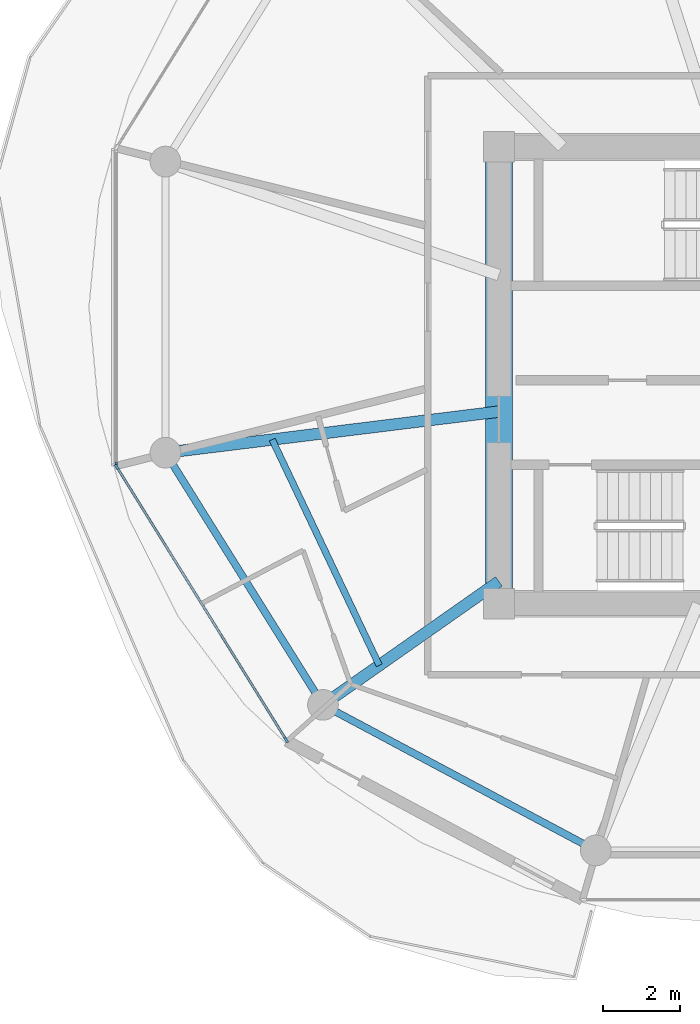
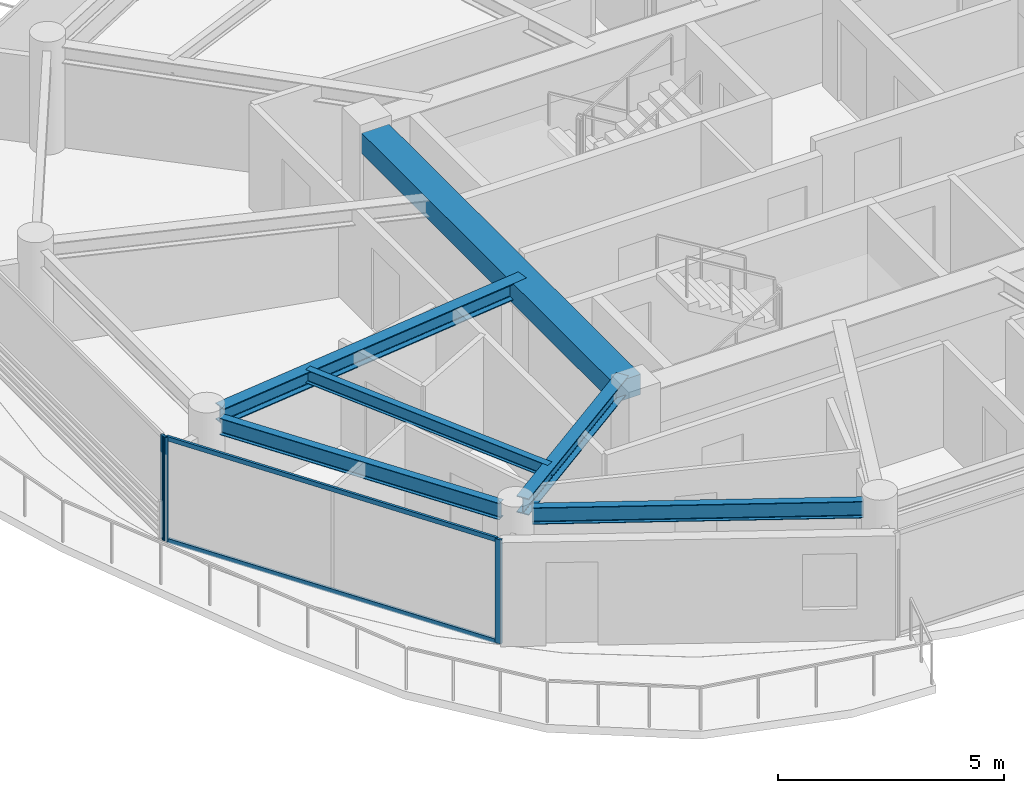
# One storey, part 6 of 21: 6 beams, 5 members, 2 elements without a shape of their own.
"""IFC4 building model written with IfcOpenShell, lengths in metres."""

from ifc_helpers import new_model, si_unit, direction, frame, origin, origin_2d, place, context, subcontext, project, spatial, rectangle, i_section, extrude, source, transform, mapped, material, layer, layer_set, material_profile, profile_set, type_object, type_shapes, element, aggregate, save


model = new_model("IFC4")

# Units and contexts
model_context = context("Model", 3, precision=1e-05, world=origin(), true_north=direction((0.0, 1.0)))
body_context = subcontext(model_context, "Body", "Model", "MODEL_VIEW")
ifc_project = project(units=[si_unit("LENGTHUNIT", "METRE"), si_unit("AREAUNIT", "SQUARE_METRE"), si_unit("VOLUMEUNIT", "CUBIC_METRE"), si_unit("PLANEANGLEUNIT", "RADIAN"), si_unit("MASSUNIT", "GRAM", prefix="KILO")], contexts=[model_context])

# Site, building, storey
site_placement = place(None, origin())
site = spatial("IfcSite", under=ifc_project, at=site_placement, CompositionType="ELEMENT")
building_placement = place(site_placement, origin())
building = spatial("IfcBuilding", under=site, at=building_placement, Name="Norrkilde Senior Care Towers", CompositionType="ELEMENT")
storey_placement = place(building_placement, frame((0.0, 0.0, 140.39990234375)))
storey = spatial("IfcBuildingStorey", under=building, at=storey_placement, Name="L43", CompositionType="ELEMENT", Elevation=140.39990234375)

# Beams
ifc_material_1 = material(Name="Concrete C60/75", Category="concrete")
ifc_material_profile_1 = material_profile(ifc_material_1, rectangle(XDim=0.699951171875, YDim=0.550048828125, at=origin_2d()), Name="RC BM 700x550")
ifc_profile_set_1 = profile_set([ifc_material_profile_1], Name="Concrete C60/75")
beam_type_1 = type_object("IfcBeamType", Name="Core Portal Coupling Beam 700x550", PredefinedType="USERDEFINED", material=ifc_profile_set_1)
shared_shape_1 = source(origin(), body_context, "Body", "SweptSolid", [
    extrude(rectangle(XDim=0.699951171875, YDim=0.550048828125, at=origin_2d()), origin(), (0.0, 0.0, 1.0), 11.14013671875),
])
type_shapes(beam_type_1, [shared_shape_1])
beam_1_placement = place(storey_placement, frame((20.35009765625, -5.570068359375, 2.53515625), z_axis=(0.0, 1.0, 0.0), x_axis=(-1.0, 0.0, 0.0)))
element("IfcBeam", 1, at=beam_1_placement, inside=storey, type_object=beam_type_1, Name="L43 Core E W Coupling Girder", ObjectType="GIRDER", PredefinedType="USERDEFINED", context=body_context, shape_type="MappedRepresentation", body=[
    mapped(shared_shape_1, transform((0.0, 0.0, 0.0), x_axis=(1.0, 0.0, 0.0), y_axis=(0.0, 1.0, 0.0), z_axis=(0.0, 0.0, 1.0), scale=1.0)),
])
ifc_material_2 = material(Name="Steel S355", Category="steel")
ifc_material_profile_2 = material_profile(ifc_material_2, i_section(OverallWidth=0.18994140625, OverallDepth=0.449951171875, WebThickness=0.009521484375, FlangeThickness=0.0146484375, FilletRadius=0.02099609375, at=origin_2d()), Name="IPE 450")
ifc_profile_set_2 = profile_set([ifc_material_profile_2], Name="Steel S355")
beam_type_2 = type_object("IfcBeamType", Name="Perimeter Ring Spandrel Z3 IPE450", PredefinedType="SPANDREL", material=ifc_profile_set_2)
shared_shape_2 = source(origin(), body_context, "Body", "SweptSolid", [
    extrude(i_section(OverallWidth=0.18994140625, OverallDepth=0.449951171875, WebThickness=0.009521484375, FlangeThickness=0.0146484375, FilletRadius=0.02099609375, at=origin_2d()), origin(), (0.0, 0.0, 1.0), 7.023193359375),
])
beam_2_placement = place(storey_placement, frame((11.855712890625, -2.32177734375, 2.585205078125), z_axis=(0.529805197269, -0.848119362441, 0.0), x_axis=(0.848119362441, 0.529805197269, 0.0)))
element("IfcBeam", 2, at=beam_2_placement, inside=storey, type_object=beam_type_2, Name="L43 Drum E Perimeter Spandrel 07", PredefinedType="SPANDREL", context=body_context, shape_type="MappedRepresentation", body=[
    mapped(shared_shape_2, transform((0.0, 0.0, 0.0), x_axis=(1.0, 0.0, 0.0), y_axis=(0.0, 1.0, 0.0), z_axis=(0.0, 0.0, 1.0), scale=1.0)),
])
shared_shape_3 = source(origin(), body_context, "Body", "SweptSolid", [
    extrude(i_section(OverallWidth=0.18994140625, OverallDepth=0.449951171875, WebThickness=0.009521484375, FlangeThickness=0.0146484375, FilletRadius=0.02099609375, at=origin_2d()), origin(), (0.0, 0.0, 1.0), 7.333984375),
])
type_shapes(beam_type_2, [shared_shape_2, shared_shape_3])
beam_3_placement = place(storey_placement, frame((16.0849609375, -8.753173828125, 2.585205078125), z_axis=(0.882234038987, -0.470811109101, 0.0), x_axis=(0.470811109101, 0.882234038987, 0.0)))
element("IfcBeam", 3, at=beam_3_placement, inside=storey, type_object=beam_type_2, Name="L43 Drum E Perimeter Spandrel 08", PredefinedType="SPANDREL", context=body_context, shape_type="MappedRepresentation", body=[
    mapped(shared_shape_3, transform((0.0, 0.0, 0.0), x_axis=(1.0, 0.0, 0.0), y_axis=(0.0, 1.0, 0.0), z_axis=(0.0, 0.0, 1.0), scale=1.0)),
])
ifc_material_profile_3 = material_profile(ifc_material_2, i_section(OverallWidth=0.300048828125, OverallDepth=0.449951171875, WebThickness=0.013916015625, FlangeThickness=0.02587890625, FilletRadius=0.027099609375, at=origin_2d()), Name="HEB 450")
ifc_profile_set_3 = profile_set([ifc_material_profile_3], Name="Steel S355")
beam_type_3 = type_object("IfcBeamType", Name="Radial Floor Beam Z3 HEB450", PredefinedType="BEAM", material=ifc_profile_set_3)
shared_shape_4 = source(origin(), body_context, "Body", "SweptSolid", [
    extrude(i_section(OverallWidth=0.300048828125, OverallDepth=0.449951171875, WebThickness=0.013916015625, FlangeThickness=0.02587890625, FilletRadius=0.027099609375, at=origin_2d()), origin(), (0.0, 0.0, 1.0), 5.23828125),
])
beam_4_placement = place(storey_placement, frame((20.35009765625, -5.3681640625, 2.585205078125), z_axis=(-0.818592061291, -0.574375345215, 0.0), x_axis=(0.574375345215, -0.818592061291, 0.0)))
element("IfcBeam", 4, at=beam_4_placement, inside=storey, type_object=beam_type_3, Name="L43 Drum E Radial Floor Beam 08", PredefinedType="BEAM", context=body_context, shape_type="MappedRepresentation", body=[
    mapped(shared_shape_4, transform((0.0, 0.0, 0.0), x_axis=(1.0, 0.0, 0.0), y_axis=(0.0, 1.0, 0.0), z_axis=(0.0, 0.0, 1.0), scale=1.0)),
])
shared_shape_5 = source(origin(), body_context, "Body", "SweptSolid", [
    extrude(i_section(OverallWidth=0.300048828125, OverallDepth=0.449951171875, WebThickness=0.013916015625, FlangeThickness=0.02587890625, FilletRadius=0.027099609375, at=origin_2d()), origin(), (0.0, 0.0, 1.0), 8.390869140625),
])
type_shapes(beam_type_3, [shared_shape_4, shared_shape_5])
beam_5_placement = place(storey_placement, frame((20.35009765625, -0.9443359375, 2.585205078125), z_axis=(-0.99246916403, -0.122494728249, 0.0), x_axis=(0.122494728249, -0.99246916403, 0.0)))
element("IfcBeam", 5, at=beam_5_placement, inside=storey, type_object=beam_type_3, Name="L43 Drum E Radial Floor Beam 07", PredefinedType="BEAM", context=body_context, shape_type="MappedRepresentation", body=[
    mapped(shared_shape_5, transform((0.0, 0.0, 0.0), x_axis=(1.0, 0.0, 0.0), y_axis=(0.0, 1.0, 0.0), z_axis=(0.0, 0.0, 1.0), scale=1.0)),
])
ifc_material_profile_4 = material_profile(ifc_material_2, i_section(OverallWidth=0.169921875, OverallDepth=0.360107421875, WebThickness=0.008056640625, FlangeThickness=0.0126953125, FilletRadius=0.01806640625, at=origin_2d()), Name="IPE 360")
ifc_profile_set_4 = profile_set([ifc_material_profile_4], Name="Steel S355")
beam_type_4 = type_object("IfcBeamType", Name="Secondary Floor Joist IPE360", PredefinedType="JOIST", material=ifc_profile_set_4)
shared_shape_6 = source(origin(), body_context, "Body", "SweptSolid", [
    extrude(i_section(OverallWidth=0.169921875, OverallDepth=0.360107421875, WebThickness=0.008056640625, FlangeThickness=0.0126953125, FilletRadius=0.01806640625, at=origin_2d()), origin(), (0.0, 0.0, 1.0), 6.50927734375),
])
type_shapes(beam_type_4, [shared_shape_6])
beam_6_placement = place(storey_placement, frame((14.4443359375, -1.67333984375, 2.630126953125), z_axis=(0.428544169129, -0.90352083269, 0.0), x_axis=(0.90352083269, 0.428544169129, 0.0)))
element("IfcBeam", 6, at=beam_6_placement, inside=storey, type_object=beam_type_4, Name="L43 Drum E Secondary Floor Joist 3", PredefinedType="JOIST", context=body_context, shape_type="MappedRepresentation", body=[
    mapped(shared_shape_6, transform((0.0, 0.0, 0.0), x_axis=(1.0, 0.0, 0.0), y_axis=(0.0, 1.0, 0.0), z_axis=(0.0, 0.0, 1.0), scale=1.0)),
])

# Curtain wall, member
ifc_material_3 = material(Name="Triple Low-E Insulated Glazing", Category="glass")
ifc_layer = layer(ifc_material_3, 0.18994140625)
ifc_layer_set = layer_set([ifc_layer], Name="Triple Low-E Insulated Glazing")
curtain_wall_type = type_object("IfcCurtainWallType", Name="CW4 Zone 3 Senior Residence Curtain Wall", PredefinedType="NOTDEFINED", material=ifc_layer_set)
curtain_wall_1_placement = place(storey_placement, origin())
curtain_wall_1 = element("IfcCurtainWall", 7, at=curtain_wall_1_placement, inside=storey, type_object=curtain_wall_type, Name="L43 Drum E Curtain Wall 05", PredefinedType="NOTDEFINED")
ifc_material_4 = material(Name="Anodised Aluminium", Category="aluminium")
ifc_material_profile_5 = material_profile(ifc_material_4, rectangle(XDim=0.06494140625, YDim=0.14990234375, at=origin_2d()), Name="ALU MULL 65x150")
ifc_profile_set_5 = profile_set([ifc_material_profile_5], Name="Anodised Aluminium")
member_type_1 = type_object("IfcMemberType", Name="Curtain Wall Mullion Z3-Z4 65x150", PredefinedType="MULLION", material=ifc_profile_set_5)
shared_shape_7 = source(origin(), body_context, "Body", "SweptSolid", [
    extrude(rectangle(XDim=0.06494140625, YDim=0.14990234375, at=origin_2d()), origin(), (0.0, 0.0, 1.0), 2.81005859375),
])
type_shapes(member_type_1, [shared_shape_7])
member_1_placement = place(storey_placement, frame((10.38037109375, -2.328125, 0.0), z_axis=(0.0, 0.0, 1.0), x_axis=(-1.0, 0.0, 0.0)))
member_1 = element("IfcMember", 8, at=member_1_placement, type_object=member_type_1, Name="CW-4 mullion 1", PredefinedType="MULLION", context=body_context, shape_type="MappedRepresentation", body=[
    mapped(shared_shape_7, transform((0.0, 0.0, 0.0), x_axis=(1.0, 0.0, 0.0), y_axis=(0.0, 1.0, 0.0), z_axis=(0.0, 0.0, 1.0), scale=1.0)),
])
aggregate(curtain_wall_1, [member_1])

# Curtain wall, members
curtain_wall_2_placement = place(storey_placement, origin())
curtain_wall_2 = element("IfcCurtainWall", 9, at=curtain_wall_2_placement, inside=storey, type_object=curtain_wall_type, Name="L43 Drum E Curtain Wall 06", PredefinedType="NOTDEFINED")
member_2_placement = place(storey_placement, frame((14.809814453125, -9.49658203125, 0.0), z_axis=(0.0, 0.0, 1.0), x_axis=(-0.84963405474, -0.52737270789, 0.0)))
member_2 = element("IfcMember", 10, at=member_2_placement, type_object=member_type_1, Name="CW-4 mullion 1", PredefinedType="MULLION", context=body_context, shape_type="MappedRepresentation", body=[
    mapped(shared_shape_7, transform((0.0, 0.0, 0.0), x_axis=(1.0, 0.0, 0.0), y_axis=(0.0, 1.0, 0.0), z_axis=(0.0, 0.0, 1.0), scale=1.0)),
])
member_3_placement = place(storey_placement, frame((10.3974609375, -2.38818359375, 0.0), z_axis=(0.0, 0.0, 1.0), x_axis=(-0.84963405474, -0.52737270789, 0.0)))
member_3 = element("IfcMember", 11, at=member_3_placement, type_object=member_type_1, Name="CW-4 mullion 2", PredefinedType="MULLION", context=body_context, shape_type="MappedRepresentation", body=[
    mapped(shared_shape_7, transform((0.0, 0.0, 0.0), x_axis=(1.0, 0.0, 0.0), y_axis=(0.0, 1.0, 0.0), z_axis=(0.0, 0.0, 1.0), scale=1.0)),
])
ifc_material_profile_6 = material_profile(ifc_material_4, rectangle(XDim=0.06005859375, YDim=0.1201171875, at=origin_2d()), Name="ALU TRAN 60x120")
ifc_profile_set_6 = profile_set([ifc_material_profile_6], Name="Anodised Aluminium")
member_type_2 = type_object("IfcMemberType", Name="Curtain Wall Transom Typical 60x120", PredefinedType="USERDEFINED", material=ifc_profile_set_6)
shared_shape_8 = source(origin(), body_context, "Body", "SweptSolid", [
    extrude(rectangle(XDim=0.06005859375, YDim=0.1201171875, at=origin_2d()), origin(), (0.0, 0.0, 1.0), 8.301513671875),
])
type_shapes(member_type_2, [shared_shape_8])
member_4_placement = place(storey_placement, frame((14.792724609375, -9.468994140625, 0.030029296875), z_axis=(-0.527368718394, 0.849636531029, 0.0), x_axis=(-0.849636531029, -0.527368718394, 0.0)))
member_4 = element("IfcMember", 12, at=member_4_placement, type_object=member_type_2, Name="CW-4 transom 1.1", ObjectType="TRANSOM", PredefinedType="USERDEFINED", context=body_context, shape_type="MappedRepresentation", body=[
    mapped(shared_shape_8, transform((0.0, 0.0, 0.0), x_axis=(1.0, 0.0, 0.0), y_axis=(0.0, 1.0, 0.0), z_axis=(0.0, 0.0, 1.0), scale=1.0)),
])
member_5_placement = place(storey_placement, frame((14.792724609375, -9.468994140625, 2.780029296875), z_axis=(-0.527368718394, 0.849636531029, 0.0), x_axis=(-0.849636531029, -0.527368718394, 0.0)))
member_5 = element("IfcMember", 13, at=member_5_placement, type_object=member_type_2, Name="CW-4 transom 1.2", ObjectType="TRANSOM", PredefinedType="USERDEFINED", context=body_context, shape_type="MappedRepresentation", body=[
    mapped(shared_shape_8, transform((0.0, 0.0, 0.0), x_axis=(1.0, 0.0, 0.0), y_axis=(0.0, 1.0, 0.0), z_axis=(0.0, 0.0, 1.0), scale=1.0)),
])
aggregate(curtain_wall_2, [member_2, member_3, member_4, member_5])

save(model, "model.ifc")
